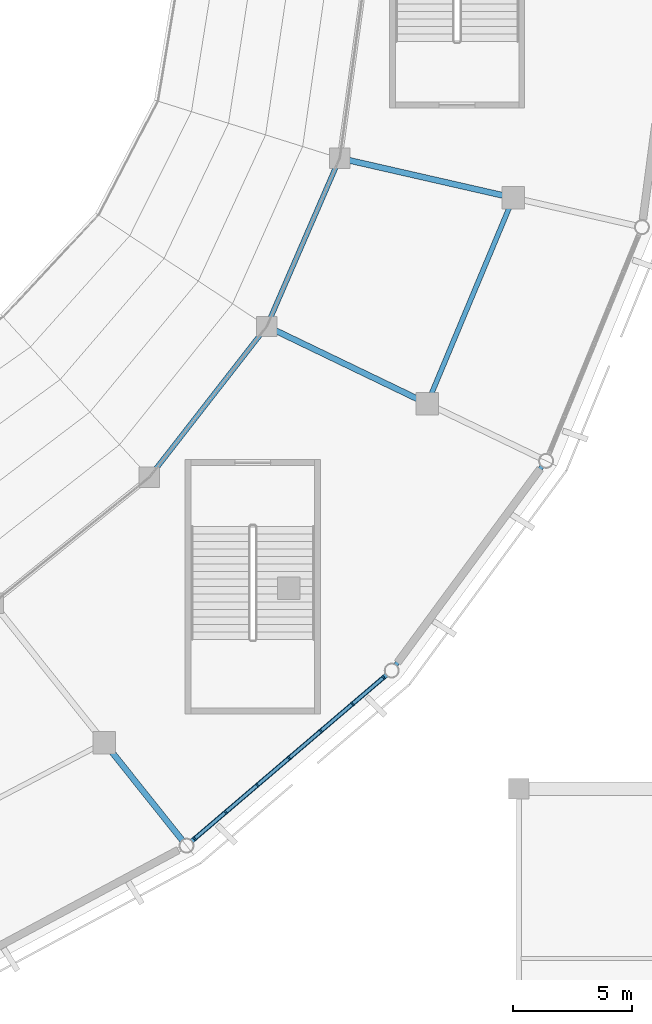
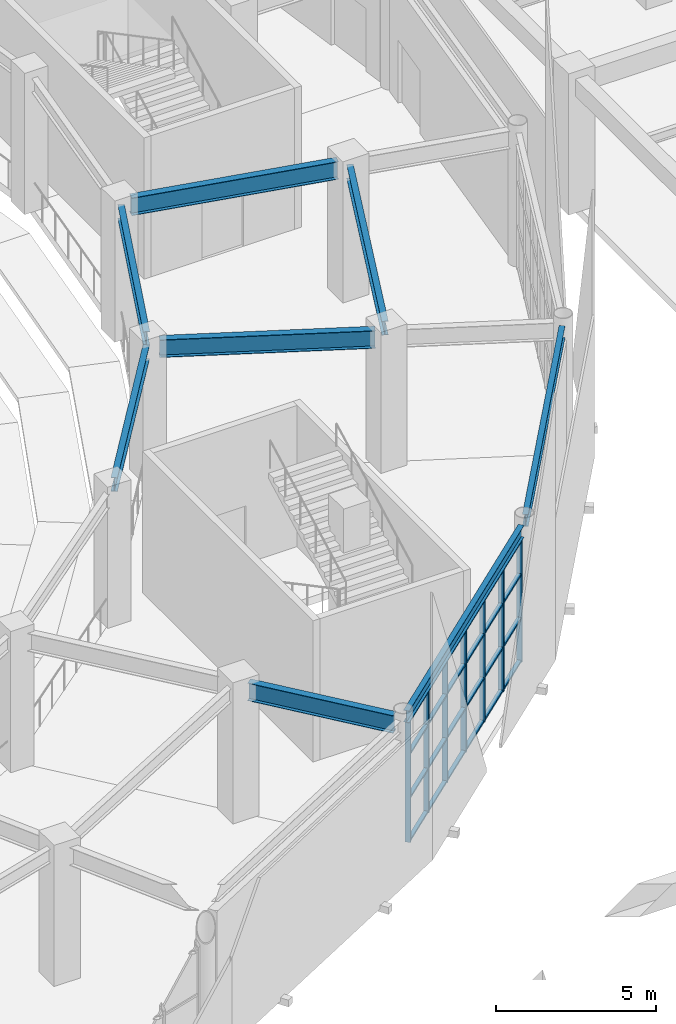
# One storey, part 30 of 120: 31 members, 8 beams, 1 element without a shape of its own.
"""IFC4 building model written with IfcOpenShell, lengths in metres."""

import ifcopenshell
import ifcopenshell.guid

model = None  # the IFC model being written
_history = None  # IfcOwnerHistory: only IFC2X3 demands one
_inside = {}  # id of a spatial element -> (the spatial element, [elements in it])
_under = {}  # id of a project, library or spatial element -> (it, [spatial elements below it])
_declared = {}  # id of a project -> (the project, [libraries it declares])
_typed = {}  # id of a type object -> (the type object, [elements of that type])
_made_of = {}  # id of a material, layer set ... -> (it, [elements and type objects made of it])


def new_model(schema):
    """Start an empty IFC model of exactly this schema.

    Asked for "IFC4X3", IfcOpenShell would pick the latest addendum, in which some entities
    have other attributes; the version numbers below select the first issue.
    IFC2X3 requires an IfcOwnerHistory on every rooted entity: one is made here for all.
    """
    global model, _history
    if schema == "IFC4X3":
        model = ifcopenshell.file(schema_version=(4, 3, 0, 0))
    else:
        model = ifcopenshell.file(schema=schema)
    _inside.clear()
    _under.clear()
    _declared.clear()
    _typed.clear()
    _made_of.clear()
    _history = None
    if model.schema == "IFC2X3":
        org = make("IfcOrganization", Name="unknown")
        user = make(
            "IfcPersonAndOrganization",
            ThePerson=make("IfcPerson", FamilyName="unknown"),
            TheOrganization=org,
        )
        app = make(
            "IfcApplication",
            ApplicationDeveloper=org,
            Version="unknown",
            ApplicationFullName="unknown",
            ApplicationIdentifier="unknown",
        )
        _history = make(
            "IfcOwnerHistory",
            OwningUser=user,
            OwningApplication=app,
            ChangeAction="ADDED",
            CreationDate=0,
        )
    return model


def make(cls, **values):
    """One entity of the class cls with the attributes given. An attribute that is None is left unset."""
    return model.create_entity(
        cls, **{name: value for name, value in values.items() if value is not None}
    )


def rooted(cls, **values):
    """An entity with a GlobalId (a new one), such as an element, a storey or a relation."""
    return make(cls, GlobalId=ifcopenshell.guid.new(), OwnerHistory=_history, **values)


def si_unit(unit_type, name, prefix=None):
    """IfcSIUnit, for example si_unit("LENGTHUNIT", "METRE", prefix="MILLI")."""
    return make("IfcSIUnit", UnitType=unit_type, Prefix=prefix, Name=name)


def assignment(units):
    """IfcUnitAssignment: the units of a project."""
    return None if units is None else make("IfcUnitAssignment", Units=units)


def point(xyz):
    """IfcCartesianPoint."""
    return None if xyz is None else make("IfcCartesianPoint", Coordinates=xyz)


def direction(xyz):
    """IfcDirection."""
    return None if xyz is None else make("IfcDirection", DirectionRatios=xyz)


def frame(location, z_axis=None, x_axis=None):
    """IfcAxis2Placement3D, a coordinate frame: its origin and axes. An axis left out is left unset."""
    return make(
        "IfcAxis2Placement3D",
        Location=point(location),
        Axis=direction(z_axis),
        RefDirection=direction(x_axis),
    )


def frame_2d(location, x_axis=None):
    """IfcAxis2Placement2D, a coordinate frame in the plane: its origin and x axis."""
    return make(
        "IfcAxis2Placement2D", Location=point(location), RefDirection=direction(x_axis)
    )


def origin():
    """The frame at (0, 0, 0) with its axes left unset."""
    return frame((0.0, 0.0, 0.0))


def origin_2d():
    """The frame at (0, 0) in the plane with its x axis left unset."""
    return frame_2d((0.0, 0.0))


def place(relative_to, where):
    """IfcLocalPlacement: puts the frame where relative to a parent placement (None: the world)."""
    return make(
        "IfcLocalPlacement", PlacementRelTo=relative_to, RelativePlacement=where
    )


def context(
    kind, dimensions, precision=None, world=None, true_north=None, identifier=None
):
    """IfcGeometricRepresentationContext, for example the 3D "Model" context."""
    return make(
        "IfcGeometricRepresentationContext",
        ContextIdentifier=identifier,
        ContextType=kind,
        CoordinateSpaceDimension=dimensions,
        Precision=precision,
        WorldCoordinateSystem=world,
        TrueNorth=true_north,
    )


def subcontext(parent, identifier, kind, view, scale=None):
    """IfcGeometricRepresentationSubContext, for example "Body" below "Model"."""
    return make(
        "IfcGeometricRepresentationSubContext",
        ContextIdentifier=identifier,
        ContextType=kind,
        ParentContext=parent,
        TargetScale=scale,
        TargetView=view,
    )


def project(units=None, contexts=None):
    """IfcProject with its units and contexts."""
    return rooted(
        "IfcProject",
        Name="project",
        RepresentationContexts=contexts,
        UnitsInContext=assignment(units),
    )


def spatial(cls, under=None, at=None, **own):
    """A site, building, storey or space (cls), placed at a placement, below another one or the project."""
    s = rooted(cls, ObjectPlacement=at, **own)
    if under is not None:
        _under.setdefault(under.id(), (under, []))[1].append(s)
    return s


def profile(cls, at=None, kind="AREA", **sizes):
    """A parametric profile (cls). Its sizes go by their IFC names, for example OverallWidth=200.0."""
    return make(cls, ProfileType=kind, Position=at, **sizes)


def rectangle(**sizes):
    """IfcRectangleProfileDef."""
    return profile("IfcRectangleProfileDef", **sizes)


def i_section(**sizes):
    """IfcIShapeProfileDef."""
    return profile("IfcIShapeProfileDef", **sizes)


def extrude(swept, where, along, depth):
    """IfcExtrudedAreaSolid: the profile swept, set in the frame where, extruded along a direction by depth."""
    return make(
        "IfcExtrudedAreaSolid",
        SweptArea=swept,
        Position=where,
        ExtrudedDirection=direction(along),
        Depth=depth,
    )


def shape(context_of_items, identifier, shape_type, items):
    """IfcShapeRepresentation: the items that make up one representation, for example the "Body"."""
    return make(
        "IfcShapeRepresentation",
        ContextOfItems=context_of_items,
        RepresentationIdentifier=identifier,
        RepresentationType=shape_type,
        Items=items,
    )


def material(Name=None, Category=None):
    """IfcMaterial."""
    return make("IfcMaterial", Name=Name, Category=Category)


def material_profile(
    of_material, cross_section, Name=None, Category=None, Priority=None
):
    """IfcMaterialProfile: a cross section and its material."""
    return make(
        "IfcMaterialProfile",
        Name=Name,
        Material=of_material,
        Profile=cross_section,
        Priority=Priority,
        Category=Category,
    )


def profile_set(profiles, Name=None, composite=None):
    """IfcMaterialProfileSet."""
    return make(
        "IfcMaterialProfileSet",
        Name=Name,
        MaterialProfiles=profiles,
        CompositeProfile=composite,
    )


def made_of(thing, what):
    """Note that an element or type object is made of a material, layer set ...; save() writes the relation."""
    if what is not None:
        _made_of.setdefault(what.id(), (what, []))[1].append(thing)
    return thing


def type_object(cls, material=None, **own):
    """A type object (cls), such as IfcWallType, which elements share."""
    return made_of(rooted(cls, **own), material)


def element(
    cls,
    number,
    at=None,
    inside=None,
    cuts=None,
    type_object=None,
    material=None,
    context=None,
    identifier="Body",
    shape_type=None,
    held_by="IfcProductDefinitionShape",
    body=None,
    shapes=None,
    **own,
):
    """One element of the class cls, such as IfcWall. Its Tag is "e" and its number.

    at: its placement. inside: the storey or other place that contains it. cuts: it is an
    opening in that element (IfcRelVoidsElement). A single representation is given by context,
    identifier, shape_type and body (its items); several are given by shapes. held_by: the class
    of the entity that holds the representations. save() writes the other relations.
    """
    e = rooted(cls, Tag="e%d" % number, ObjectPlacement=at, **own)
    if body is not None:
        shapes = [shape(context, identifier, shape_type, body)]
    if shapes is not None:
        e.Representation = make(held_by, Representations=shapes)
    if inside is not None:
        _inside.setdefault(inside.id(), (inside, []))[1].append(e)
    if cuts is not None:
        rooted(
            "IfcRelVoidsElement", RelatingBuildingElement=cuts, RelatedOpeningElement=e
        )
    if type_object is not None:
        _typed.setdefault(type_object.id(), (type_object, []))[1].append(e)
    return made_of(e, material)


def aggregate(whole, parts):
    """IfcRelAggregates: a whole, such as a stair, and the parts it consists of."""
    return rooted("IfcRelAggregates", RelatingObject=whole, RelatedObjects=parts)


def save(model, path):
    """Write the relations noted so far, then the file.

    IfcRelAggregates (storeys below a building ...), IfcRelContainedInSpatialStructure (elements
    in a storey), IfcRelDefinesByType, IfcRelAssociatesMaterial and IfcRelDeclares: one each for
    every whole, place, type object, material and project.
    """
    for whole, parts in _under.values():
        aggregate(whole, parts)
    for where, things in _inside.values():
        rooted(
            "IfcRelContainedInSpatialStructure",
            RelatedElements=things,
            RelatingStructure=where,
        )
    for kind, things in _typed.values():
        rooted("IfcRelDefinesByType", RelatedObjects=things, RelatingType=kind)
    for what, things in _made_of.values():
        rooted("IfcRelAssociatesMaterial", RelatedObjects=things, RelatingMaterial=what)
    for by, libraries in _declared.values():
        rooted("IfcRelDeclares", RelatingContext=by, RelatedDefinitions=libraries)
    model.write(path)


model = new_model("IFC4")

# Units and contexts
model_context = context("Model", 3, precision=1e-05, world=origin(), true_north=direction((0.0, 1.0)))
body_context = subcontext(model_context, "Body", "Model", "MODEL_VIEW")
ifc_project = project(units=[si_unit("LENGTHUNIT", "METRE"), si_unit("AREAUNIT", "SQUARE_METRE"), si_unit("VOLUMEUNIT", "CUBIC_METRE"), si_unit("PLANEANGLEUNIT", "RADIAN"), si_unit("MASSUNIT", "GRAM", prefix="KILO")], contexts=[model_context])

# Site, building, storey
site_placement = place(None, origin())
site = spatial("IfcSite", under=ifc_project, at=site_placement, CompositionType="ELEMENT")
building_placement = place(site_placement, origin())
building = spatial("IfcBuilding", under=site, at=building_placement, Name="Cuetzalor Civic Arena", CompositionType="ELEMENT")
storey_placement = place(building_placement, frame((0.0, 0.0, 6.0)))
storey = spatial("IfcBuildingStorey", under=building, at=storey_placement, Name="L01", CompositionType="ELEMENT", Elevation=6.0)

# Curtain wall, members
ifc_material_1 = material(Name="Anodised dark bronze aluminium and low-E solar glass", Category="aluminium")
curtain_wall_type = type_object("IfcCurtainWallType", Name="UnitisedCW_10550x4650", PredefinedType="USERDEFINED", material=ifc_material_1)
curtain_wall_placement = place(storey_placement, origin())
curtain_wall = element("IfcCurtainWall", 1, at=curtain_wall_placement, inside=storey, type_object=curtain_wall_type, Name="Drum Triangle Foyer Curtain Wall L01-031", ObjectType="UNITISED CURTAIN WALL", PredefinedType="USERDEFINED")
ifc_material_2 = material(Name="Anodised dark bronze aluminium", Category="aluminium")
ifc_material_profile_1 = material_profile(ifc_material_2, rectangle(XDim=0.070068359375, YDim=0.179931640625, at=origin_2d()), Name="ALU MULLION 70x180")
ifc_profile_set_1 = profile_set([ifc_material_profile_1], Name="Anodised dark bronze aluminium")
member_type_1 = type_object("IfcMemberType", Name="CurtainWallMullion_65x180", PredefinedType="MULLION", material=ifc_profile_set_1)
member_1_placement = place(storey_placement, frame((42.308837890625, -29.313720703125, 0.0), z_axis=(0.0, 0.0, 1.0), x_axis=(-0.760677142663, -0.64913040649, 0.0)))
member_1 = element("IfcMember", 2, at=member_1_placement, type_object=member_type_1, Name="CW-10 mullion 1", PredefinedType="MULLION", context=body_context, shape_type="SweptSolid", body=[
    extrude(rectangle(XDim=0.070068359375, YDim=0.179931640625, at=origin_2d()), origin(), (0.0, 0.0, 1.0), 4.653076171875),
])
member_2_placement = place(storey_placement, frame((41.00048828125, -30.43017578125, 0.0), z_axis=(0.0, 0.0, 1.0), x_axis=(-0.760677142663, -0.64913040649, 0.0)))
member_2 = element("IfcMember", 3, at=member_2_placement, type_object=member_type_1, Name="CW-10 mullion 2", PredefinedType="MULLION", context=body_context, shape_type="SweptSolid", body=[
    extrude(rectangle(XDim=0.070068359375, YDim=0.179931640625, at=origin_2d()), origin(), (0.0, 0.0, 1.0), 4.653076171875),
])
member_3_placement = place(storey_placement, frame((39.665283203125, -31.569580078125, 0.0), z_axis=(0.0, 0.0, 1.0), x_axis=(-0.760677142663, -0.64913040649, 0.0)))
member_3 = element("IfcMember", 4, at=member_3_placement, type_object=member_type_1, Name="CW-10 mullion 3", PredefinedType="MULLION", context=body_context, shape_type="SweptSolid", body=[
    extrude(rectangle(XDim=0.070068359375, YDim=0.179931640625, at=origin_2d()), origin(), (0.0, 0.0, 1.0), 4.653076171875),
])
member_4_placement = place(storey_placement, frame((38.330078125, -32.708984375, 0.0), z_axis=(0.0, 0.0, 1.0), x_axis=(-0.760677142663, -0.64913040649, 0.0)))
member_4 = element("IfcMember", 5, at=member_4_placement, type_object=member_type_1, Name="CW-10 mullion 4", PredefinedType="MULLION", context=body_context, shape_type="SweptSolid", body=[
    extrude(rectangle(XDim=0.070068359375, YDim=0.179931640625, at=origin_2d()), origin(), (0.0, 0.0, 1.0), 4.653076171875),
])
member_5_placement = place(storey_placement, frame((36.9951171875, -33.84814453125, 0.0), z_axis=(0.0, 0.0, 1.0), x_axis=(-0.760677142663, -0.64913040649, 0.0)))
member_5 = element("IfcMember", 6, at=member_5_placement, type_object=member_type_1, Name="CW-10 mullion 5", PredefinedType="MULLION", context=body_context, shape_type="SweptSolid", body=[
    extrude(rectangle(XDim=0.070068359375, YDim=0.179931640625, at=origin_2d()), origin(), (0.0, 0.0, 1.0), 4.653076171875),
])
member_6_placement = place(storey_placement, frame((35.659912109375, -34.987548828125, 0.0), z_axis=(0.0, 0.0, 1.0), x_axis=(-0.760677142663, -0.64913040649, 0.0)))
member_6 = element("IfcMember", 7, at=member_6_placement, type_object=member_type_1, Name="CW-10 mullion 6", PredefinedType="MULLION", context=body_context, shape_type="SweptSolid", body=[
    extrude(rectangle(XDim=0.070068359375, YDim=0.179931640625, at=origin_2d()), origin(), (0.0, 0.0, 1.0), 4.653076171875),
])
member_7_placement = place(storey_placement, frame((34.351318359375, -36.104248046875, 0.0), z_axis=(0.0, 0.0, 1.0), x_axis=(-0.760677142663, -0.64913040649, 0.0)))
member_7 = element("IfcMember", 8, at=member_7_placement, type_object=member_type_1, Name="CW-10 mullion 7", PredefinedType="MULLION", context=body_context, shape_type="SweptSolid", body=[
    extrude(rectangle(XDim=0.070068359375, YDim=0.179931640625, at=origin_2d()), origin(), (0.0, 0.0, 1.0), 4.653076171875),
])
ifc_material_3 = material(Name="Anodised dark bronze aluminium", Category="aluminium")
ifc_material_profile_2 = material_profile(ifc_material_3, rectangle(XDim=0.139892578125, YDim=0.070068359375, at=origin_2d()), Name="ALU TRANSOM 70x140")
ifc_profile_set_2 = profile_set([ifc_material_profile_2], Name="Anodised dark bronze aluminium")
member_type_2 = type_object("IfcMemberType", Name="CurtainWallTransom_65x140", PredefinedType="USERDEFINED", material=ifc_profile_set_2)
member_8_placement = place(storey_placement, frame((42.2822265625, -29.33642578125, 0.034912109375), z_axis=(-0.760685671195, -0.64912041228, 0.0), x_axis=(0.64912041228, -0.760685671195, 0.0)))
member_8 = element("IfcMember", 9, at=member_8_placement, type_object=member_type_2, Name="CW-10 transom 1.1", ObjectType="TRANSOM", PredefinedType="USERDEFINED", context=body_context, shape_type="SweptSolid", body=[
    extrude(rectangle(XDim=0.139892578125, YDim=0.070068359375, at=origin_2d()), origin(), (0.0, 0.0, 1.0), 1.64990234375),
])
member_9_placement = place(storey_placement, frame((42.2822265625, -29.33642578125, 1.675048828125), z_axis=(-0.760685671195, -0.64912041228, 0.0), x_axis=(0.64912041228, -0.760685671195, 0.0)))
member_9 = element("IfcMember", 10, at=member_9_placement, type_object=member_type_2, Name="CW-10 transom 1.2", ObjectType="TRANSOM", PredefinedType="USERDEFINED", context=body_context, shape_type="SweptSolid", body=[
    extrude(rectangle(XDim=0.139892578125, YDim=0.070068359375, at=origin_2d()), origin(), (0.0, 0.0, 1.0), 1.64990234375),
])
member_10_placement = place(storey_placement, frame((42.2822265625, -29.33642578125, 3.35009765625), z_axis=(-0.760685671195, -0.64912041228, 0.0), x_axis=(0.64912041228, -0.760685671195, 0.0)))
member_10 = element("IfcMember", 11, at=member_10_placement, type_object=member_type_2, Name="CW-10 transom 1.3", ObjectType="TRANSOM", PredefinedType="USERDEFINED", context=body_context, shape_type="SweptSolid", body=[
    extrude(rectangle(XDim=0.139892578125, YDim=0.070068359375, at=origin_2d()), origin(), (0.0, 0.0, 1.0), 1.64990234375),
])
member_11_placement = place(storey_placement, frame((42.2822265625, -29.33642578125, 4.617919921875), z_axis=(-0.760685671195, -0.64912041228, 0.0), x_axis=(0.64912041228, -0.760685671195, 0.0)))
member_11 = element("IfcMember", 12, at=member_11_placement, type_object=member_type_2, Name="CW-10 transom 1.4", ObjectType="TRANSOM", PredefinedType="USERDEFINED", context=body_context, shape_type="SweptSolid", body=[
    extrude(rectangle(XDim=0.139892578125, YDim=0.070068359375, at=origin_2d()), origin(), (0.0, 0.0, 1.0), 1.64990234375),
])
member_12_placement = place(storey_placement, frame((40.973876953125, -30.452880859375, 0.034912109375), z_axis=(-0.760676154185, -0.649131564826, 0.0), x_axis=(0.649131564826, -0.760676154185, 0.0)))
member_12 = element("IfcMember", 13, at=member_12_placement, type_object=member_type_2, Name="CW-10 transom 2.1", ObjectType="TRANSOM", PredefinedType="USERDEFINED", context=body_context, shape_type="SweptSolid", body=[
    extrude(rectangle(XDim=0.139892578125, YDim=0.070068359375, at=origin_2d()), origin(), (0.0, 0.0, 1.0), 1.685302734375),
])
member_13_placement = place(storey_placement, frame((40.973876953125, -30.452880859375, 1.675048828125), z_axis=(-0.760676154185, -0.649131564826, 0.0), x_axis=(0.649131564826, -0.760676154185, 0.0)))
member_13 = element("IfcMember", 14, at=member_13_placement, type_object=member_type_2, Name="CW-10 transom 2.2", ObjectType="TRANSOM", PredefinedType="USERDEFINED", context=body_context, shape_type="SweptSolid", body=[
    extrude(rectangle(XDim=0.139892578125, YDim=0.070068359375, at=origin_2d()), origin(), (0.0, 0.0, 1.0), 1.685302734375),
])
member_14_placement = place(storey_placement, frame((40.973876953125, -30.452880859375, 3.35009765625), z_axis=(-0.760676154185, -0.649131564826, 0.0), x_axis=(0.649131564826, -0.760676154185, 0.0)))
member_14 = element("IfcMember", 15, at=member_14_placement, type_object=member_type_2, Name="CW-10 transom 2.3", ObjectType="TRANSOM", PredefinedType="USERDEFINED", context=body_context, shape_type="SweptSolid", body=[
    extrude(rectangle(XDim=0.139892578125, YDim=0.070068359375, at=origin_2d()), origin(), (0.0, 0.0, 1.0), 1.685302734375),
])
member_15_placement = place(storey_placement, frame((40.973876953125, -30.452880859375, 4.617919921875), z_axis=(-0.760676154185, -0.649131564826, 0.0), x_axis=(0.649131564826, -0.760676154185, 0.0)))
member_15 = element("IfcMember", 16, at=member_15_placement, type_object=member_type_2, Name="CW-10 transom 2.4", ObjectType="TRANSOM", PredefinedType="USERDEFINED", context=body_context, shape_type="SweptSolid", body=[
    extrude(rectangle(XDim=0.139892578125, YDim=0.070068359375, at=origin_2d()), origin(), (0.0, 0.0, 1.0), 1.685302734375),
])
member_16_placement = place(storey_placement, frame((39.638671875, -31.59228515625, 0.034912109375), z_axis=(-0.760676154185, -0.649131564826, 0.0), x_axis=(0.649131564826, -0.760676154185, 0.0)))
member_16 = element("IfcMember", 17, at=member_16_placement, type_object=member_type_2, Name="CW-10 transom 3.1", ObjectType="TRANSOM", PredefinedType="USERDEFINED", context=body_context, shape_type="SweptSolid", body=[
    extrude(rectangle(XDim=0.139892578125, YDim=0.070068359375, at=origin_2d()), origin(), (0.0, 0.0, 1.0), 1.685302734375),
])
member_17_placement = place(storey_placement, frame((39.638671875, -31.59228515625, 1.675048828125), z_axis=(-0.760676154185, -0.649131564826, 0.0), x_axis=(0.649131564826, -0.760676154185, 0.0)))
member_17 = element("IfcMember", 18, at=member_17_placement, type_object=member_type_2, Name="CW-10 transom 3.2", ObjectType="TRANSOM", PredefinedType="USERDEFINED", context=body_context, shape_type="SweptSolid", body=[
    extrude(rectangle(XDim=0.139892578125, YDim=0.070068359375, at=origin_2d()), origin(), (0.0, 0.0, 1.0), 1.685302734375),
])
member_18_placement = place(storey_placement, frame((39.638671875, -31.59228515625, 3.35009765625), z_axis=(-0.760676154185, -0.649131564826, 0.0), x_axis=(0.649131564826, -0.760676154185, 0.0)))
member_18 = element("IfcMember", 19, at=member_18_placement, type_object=member_type_2, Name="CW-10 transom 3.3", ObjectType="TRANSOM", PredefinedType="USERDEFINED", context=body_context, shape_type="SweptSolid", body=[
    extrude(rectangle(XDim=0.139892578125, YDim=0.070068359375, at=origin_2d()), origin(), (0.0, 0.0, 1.0), 1.685302734375),
])
member_19_placement = place(storey_placement, frame((39.638671875, -31.59228515625, 4.617919921875), z_axis=(-0.760676154185, -0.649131564826, 0.0), x_axis=(0.649131564826, -0.760676154185, 0.0)))
member_19 = element("IfcMember", 20, at=member_19_placement, type_object=member_type_2, Name="CW-10 transom 3.4", ObjectType="TRANSOM", PredefinedType="USERDEFINED", context=body_context, shape_type="SweptSolid", body=[
    extrude(rectangle(XDim=0.139892578125, YDim=0.070068359375, at=origin_2d()), origin(), (0.0, 0.0, 1.0), 1.685302734375),
])
member_20_placement = place(storey_placement, frame((38.303466796875, -32.731689453125, 0.034912109375), z_axis=(-0.760686645348, -0.649119270697, 0.0), x_axis=(0.649119270697, -0.760686645348, 0.0)))
member_20 = element("IfcMember", 21, at=member_20_placement, type_object=member_type_2, Name="CW-10 transom 4.1", ObjectType="TRANSOM", PredefinedType="USERDEFINED", context=body_context, shape_type="SweptSolid", body=[
    extrude(rectangle(XDim=0.139892578125, YDim=0.070068359375, at=origin_2d()), origin(), (0.0, 0.0, 1.0), 1.68505859375),
])
member_21_placement = place(storey_placement, frame((38.303466796875, -32.731689453125, 1.675048828125), z_axis=(-0.760686645348, -0.649119270697, 0.0), x_axis=(0.649119270697, -0.760686645348, 0.0)))
member_21 = element("IfcMember", 22, at=member_21_placement, type_object=member_type_2, Name="CW-10 transom 4.2", ObjectType="TRANSOM", PredefinedType="USERDEFINED", context=body_context, shape_type="SweptSolid", body=[
    extrude(rectangle(XDim=0.139892578125, YDim=0.070068359375, at=origin_2d()), origin(), (0.0, 0.0, 1.0), 1.68505859375),
])
member_22_placement = place(storey_placement, frame((38.303466796875, -32.731689453125, 3.35009765625), z_axis=(-0.760686645348, -0.649119270697, 0.0), x_axis=(0.649119270697, -0.760686645348, 0.0)))
member_22 = element("IfcMember", 23, at=member_22_placement, type_object=member_type_2, Name="CW-10 transom 4.3", ObjectType="TRANSOM", PredefinedType="USERDEFINED", context=body_context, shape_type="SweptSolid", body=[
    extrude(rectangle(XDim=0.139892578125, YDim=0.070068359375, at=origin_2d()), origin(), (0.0, 0.0, 1.0), 1.68505859375),
])
member_23_placement = place(storey_placement, frame((38.303466796875, -32.731689453125, 4.617919921875), z_axis=(-0.760686645348, -0.649119270697, 0.0), x_axis=(0.649119270697, -0.760686645348, 0.0)))
member_23 = element("IfcMember", 24, at=member_23_placement, type_object=member_type_2, Name="CW-10 transom 4.4", ObjectType="TRANSOM", PredefinedType="USERDEFINED", context=body_context, shape_type="SweptSolid", body=[
    extrude(rectangle(XDim=0.139892578125, YDim=0.070068359375, at=origin_2d()), origin(), (0.0, 0.0, 1.0), 1.68505859375),
])
member_24_placement = place(storey_placement, frame((36.968505859375, -33.870849609375, 0.034912109375), z_axis=(-0.760676154185, -0.649131564826, 0.0), x_axis=(0.649131564826, -0.760676154185, 0.0)))
member_24 = element("IfcMember", 25, at=member_24_placement, type_object=member_type_2, Name="CW-10 transom 5.1", ObjectType="TRANSOM", PredefinedType="USERDEFINED", context=body_context, shape_type="SweptSolid", body=[
    extrude(rectangle(XDim=0.139892578125, YDim=0.070068359375, at=origin_2d()), origin(), (0.0, 0.0, 1.0), 1.685302734375),
])
member_25_placement = place(storey_placement, frame((36.968505859375, -33.870849609375, 1.675048828125), z_axis=(-0.760676154185, -0.649131564826, 0.0), x_axis=(0.649131564826, -0.760676154185, 0.0)))
member_25 = element("IfcMember", 26, at=member_25_placement, type_object=member_type_2, Name="CW-10 transom 5.2", ObjectType="TRANSOM", PredefinedType="USERDEFINED", context=body_context, shape_type="SweptSolid", body=[
    extrude(rectangle(XDim=0.139892578125, YDim=0.070068359375, at=origin_2d()), origin(), (0.0, 0.0, 1.0), 1.685302734375),
])
member_26_placement = place(storey_placement, frame((36.968505859375, -33.870849609375, 3.35009765625), z_axis=(-0.760676154185, -0.649131564826, 0.0), x_axis=(0.649131564826, -0.760676154185, 0.0)))
member_26 = element("IfcMember", 27, at=member_26_placement, type_object=member_type_2, Name="CW-10 transom 5.3", ObjectType="TRANSOM", PredefinedType="USERDEFINED", context=body_context, shape_type="SweptSolid", body=[
    extrude(rectangle(XDim=0.139892578125, YDim=0.070068359375, at=origin_2d()), origin(), (0.0, 0.0, 1.0), 1.685302734375),
])
member_27_placement = place(storey_placement, frame((36.968505859375, -33.870849609375, 4.617919921875), z_axis=(-0.760676154185, -0.649131564826, 0.0), x_axis=(0.649131564826, -0.760676154185, 0.0)))
member_27 = element("IfcMember", 28, at=member_27_placement, type_object=member_type_2, Name="CW-10 transom 5.4", ObjectType="TRANSOM", PredefinedType="USERDEFINED", context=body_context, shape_type="SweptSolid", body=[
    extrude(rectangle(XDim=0.139892578125, YDim=0.070068359375, at=origin_2d()), origin(), (0.0, 0.0, 1.0), 1.685302734375),
])
member_28_placement = place(storey_placement, frame((35.63330078125, -35.01025390625, 0.034912109375), z_axis=(-0.76067495784, -0.649132966745, 0.0), x_axis=(0.649132966745, -0.76067495784, 0.0)))
member_28 = element("IfcMember", 29, at=member_28_placement, type_object=member_type_2, Name="CW-10 transom 6.1", ObjectType="TRANSOM", PredefinedType="USERDEFINED", context=body_context, shape_type="SweptSolid", body=[
    extrude(rectangle(XDim=0.139892578125, YDim=0.070068359375, at=origin_2d()), origin(), (0.0, 0.0, 1.0), 1.650390625),
])
member_29_placement = place(storey_placement, frame((35.63330078125, -35.01025390625, 1.675048828125), z_axis=(-0.76067495784, -0.649132966745, 0.0), x_axis=(0.649132966745, -0.76067495784, 0.0)))
member_29 = element("IfcMember", 30, at=member_29_placement, type_object=member_type_2, Name="CW-10 transom 6.2", ObjectType="TRANSOM", PredefinedType="USERDEFINED", context=body_context, shape_type="SweptSolid", body=[
    extrude(rectangle(XDim=0.139892578125, YDim=0.070068359375, at=origin_2d()), origin(), (0.0, 0.0, 1.0), 1.650390625),
])
member_30_placement = place(storey_placement, frame((35.63330078125, -35.01025390625, 3.35009765625), z_axis=(-0.76067495784, -0.649132966745, 0.0), x_axis=(0.649132966745, -0.76067495784, 0.0)))
member_30 = element("IfcMember", 31, at=member_30_placement, type_object=member_type_2, Name="CW-10 transom 6.3", ObjectType="TRANSOM", PredefinedType="USERDEFINED", context=body_context, shape_type="SweptSolid", body=[
    extrude(rectangle(XDim=0.139892578125, YDim=0.070068359375, at=origin_2d()), origin(), (0.0, 0.0, 1.0), 1.650390625),
])
member_31_placement = place(storey_placement, frame((35.63330078125, -35.01025390625, 4.617919921875), z_axis=(-0.76067495784, -0.649132966745, 0.0), x_axis=(0.649132966745, -0.76067495784, 0.0)))
member_31 = element("IfcMember", 32, at=member_31_placement, type_object=member_type_2, Name="CW-10 transom 6.4", ObjectType="TRANSOM", PredefinedType="USERDEFINED", context=body_context, shape_type="SweptSolid", body=[
    extrude(rectangle(XDim=0.139892578125, YDim=0.070068359375, at=origin_2d()), origin(), (0.0, 0.0, 1.0), 1.650390625),
])
aggregate(curtain_wall, [member_1, member_2, member_3, member_4, member_5, member_6, member_7, member_8, member_9, member_10, member_11, member_12, member_13, member_14, member_15, member_16, member_17, member_18, member_19, member_20, member_21, member_22, member_23, member_24, member_25, member_26, member_27, member_28, member_29, member_30, member_31])

# Beams
ifc_material_4 = material(Name="Steel S355", Category="steel")
ifc_material_profile_3 = material_profile(ifc_material_4, i_section(OverallWidth=0.18994140625, OverallDepth=0.45703125, WebThickness=0.009033203125, FlangeThickness=0.014404296875, at=origin_2d()), Name="W460x74")
ifc_profile_set_3 = profile_set([ifc_material_profile_3], Name="Steel S355")
beam_type_1 = type_object("IfcBeamType", Name="FacadeSpandrelBeam_W460", PredefinedType="SPANDREL", material=ifc_profile_set_3)
beam_1_placement = place(storey_placement, frame((34.23193359375, -36.2060546875, 4.8916015625), z_axis=(0.760676650628, 0.649130983076, 0.0), x_axis=(-0.649130983076, 0.760676650628, 0.0)))
element("IfcBeam", 33, at=beam_1_placement, inside=storey, type_object=beam_type_1, Name="Drum Perimeter Spandrel L01-S25", PredefinedType="SPANDREL", context=body_context, shape_type="SweptSolid", body=[
    extrude(i_section(OverallWidth=0.18994140625, OverallDepth=0.45703125, WebThickness=0.009033203125, FlangeThickness=0.014404296875, at=origin_2d()), origin(), (0.0, 0.0, 1.0), 10.77490234375),
])
beam_2_placement = place(storey_placement, frame((42.82080078125, -28.7900390625, 4.8916015625), z_axis=(0.592928645702, 0.805255003776, 0.0), x_axis=(-0.805255003776, 0.592928645702, 0.0)))
element("IfcBeam", 34, at=beam_2_placement, inside=storey, type_object=beam_type_1, Name="Drum Perimeter Spandrel L01-S26", PredefinedType="SPANDREL", context=body_context, shape_type="SweptSolid", body=[
    extrude(i_section(OverallWidth=0.18994140625, OverallDepth=0.45703125, WebThickness=0.009033203125, FlangeThickness=0.014404296875, at=origin_2d()), origin(), (0.0, 0.0, 1.0), 10.380615234375),
])
ifc_material_5 = material(Name="Steel S355", Category="steel")
ifc_material_profile_4 = material_profile(ifc_material_5, i_section(OverallWidth=0.208984375, OverallDepth=0.532958984375, WebThickness=0.01025390625, FlangeThickness=0.015625, at=origin_2d()), Name="W530x92")
ifc_profile_set_4 = profile_set([ifc_material_profile_4], Name="Steel S355")
beam_type_2 = type_object("IfcBeamType", Name="SteelCollarGirder_W530", PredefinedType="BEAM", material=ifc_profile_set_4)
beam_3_placement = place(storey_placement, frame((32.6669921875, -20.602783203125, 4.853515625), z_axis=(0.614261103096, 0.789102843249, 0.0), x_axis=(-0.789102843249, 0.614261103096, 0.0)))
element("IfcBeam", 35, at=beam_3_placement, inside=storey, type_object=beam_type_2, Name="Bowl Inner Ring Girder L01-S26", PredefinedType="BEAM", context=body_context, shape_type="SweptSolid", body=[
    extrude(i_section(OverallWidth=0.208984375, OverallDepth=0.532958984375, WebThickness=0.01025390625, FlangeThickness=0.015625, at=origin_2d()), origin(), (0.0, 0.0, 1.0), 7.329345703125),
])
beam_4_placement = place(storey_placement, frame((44.290283203125, -17.44775390625, 4.853515625), z_axis=(0.385813116722, 0.922576955579, 0.0), x_axis=(-0.922576955579, 0.385813116722, 0.0)))
element("IfcBeam", 36, at=beam_4_placement, inside=storey, type_object=beam_type_2, Name="Drum Concourse Ring Girder L01-S27", PredefinedType="BEAM", context=body_context, shape_type="SweptSolid", body=[
    extrude(i_section(OverallWidth=0.208984375, OverallDepth=0.532958984375, WebThickness=0.01025390625, FlangeThickness=0.015625, at=origin_2d()), origin(), (0.0, 0.0, 1.0), 8.65283203125),
])
beam_5_placement = place(storey_placement, frame((37.533447265625, -14.204833984375, 4.853515625), z_axis=(0.39772689401, 0.917503851644, 0.0), x_axis=(-0.917503851644, 0.39772689401, 0.0)))
element("IfcBeam", 37, at=beam_5_placement, inside=storey, type_object=beam_type_2, Name="Bowl Inner Ring Girder L01-S27", PredefinedType="BEAM", context=body_context, shape_type="SweptSolid", body=[
    extrude(i_section(OverallWidth=0.208984375, OverallDepth=0.532958984375, WebThickness=0.01025390625, FlangeThickness=0.015625, at=origin_2d()), origin(), (0.0, 0.0, 1.0), 6.9970703125),
])
ifc_material_6 = material(Name="Steel S355", Category="steel")
ifc_material_profile_5 = material_profile(ifc_material_6, i_section(OverallWidth=0.2529296875, OverallDepth=0.677978515625, WebThickness=0.01171875, FlangeThickness=0.016357421875, at=origin_2d()), Name="W690x125")
ifc_profile_set_5 = profile_set([ifc_material_profile_5], Name="Steel S355")
beam_type_3 = type_object("IfcBeamType", Name="SteelPrimaryGirder_W690", PredefinedType="BEAM", material=ifc_profile_set_5)
beam_6_placement = place(storey_placement, frame((30.775390625, -32.336669921875, 4.781005859375), z_axis=(0.623515538789, -0.781810957258, 0.0), x_axis=(0.781810957258, 0.623515538789, 0.0)))
element("IfcBeam", 38, at=beam_6_placement, inside=storey, type_object=beam_type_3, Name="Drum Radial Girder L01-R25", PredefinedType="BEAM", context=body_context, shape_type="SweptSolid", body=[
    extrude(i_section(OverallWidth=0.2529296875, OverallDepth=0.677978515625, WebThickness=0.01171875, FlangeThickness=0.016357421875, at=origin_2d()), origin(), (0.0, 0.0, 1.0), 4.89990234375),
])
beam_7_placement = place(storey_placement, frame((37.714599609375, -14.69140625, 4.781005859375), z_axis=(0.900975603874, -0.433869751452, 0.0), x_axis=(0.433869751452, 0.900975603874, 0.0)))
element("IfcBeam", 39, at=beam_7_placement, inside=storey, type_object=beam_type_3, Name="Drum Inner Radial Girder L01-R27", PredefinedType="BEAM", context=body_context, shape_type="SweptSolid", body=[
    extrude(i_section(OverallWidth=0.2529296875, OverallDepth=0.677978515625, WebThickness=0.01171875, FlangeThickness=0.016357421875, at=origin_2d()), origin(), (0.0, 0.0, 1.0), 6.780029296875),
])
beam_8_placement = place(storey_placement, frame((40.810546875, -7.53466796875, 4.781005859375), z_axis=(0.974931535482, -0.222505058645, 0.0), x_axis=(0.222505058645, 0.974931535482, 0.0)))
element("IfcBeam", 40, at=beam_8_placement, inside=storey, type_object=beam_type_3, Name="Drum Inner Radial Girder L01-R28", PredefinedType="BEAM", context=body_context, shape_type="SweptSolid", body=[
    extrude(i_section(OverallWidth=0.2529296875, OverallDepth=0.677978515625, WebThickness=0.01171875, FlangeThickness=0.016357421875, at=origin_2d()), origin(), (0.0, 0.0, 1.0), 6.77978515625),
])

save(model, "model.ifc")
